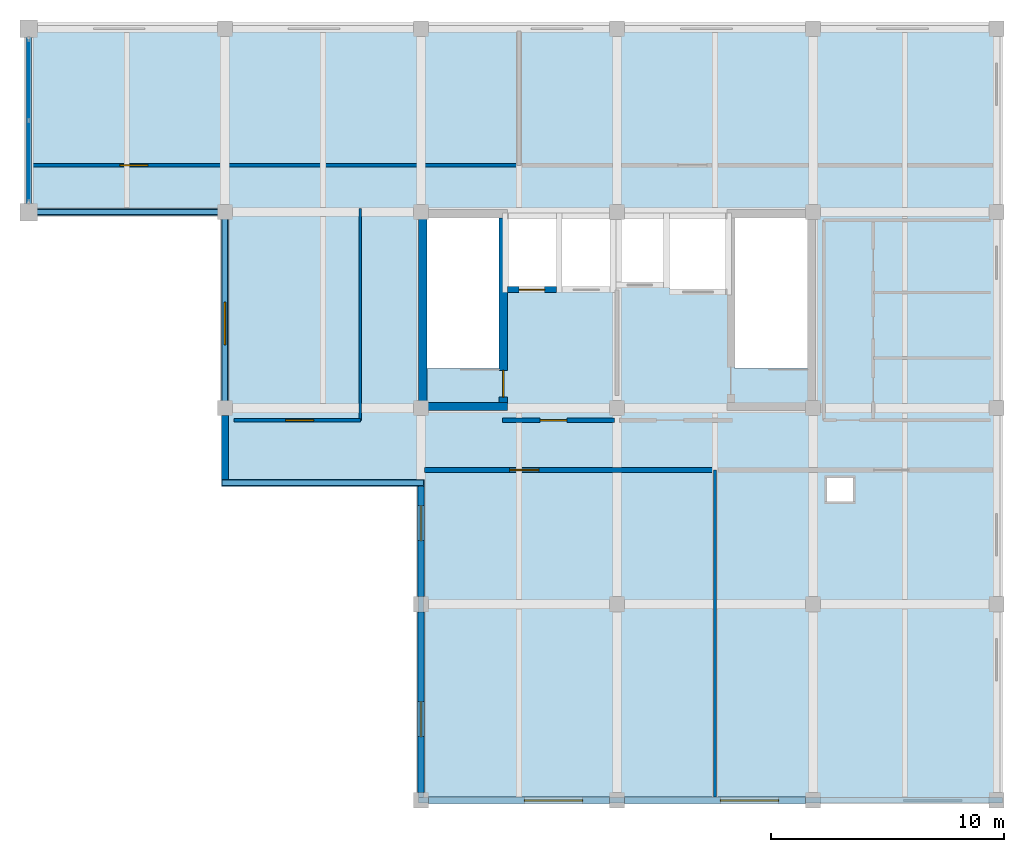
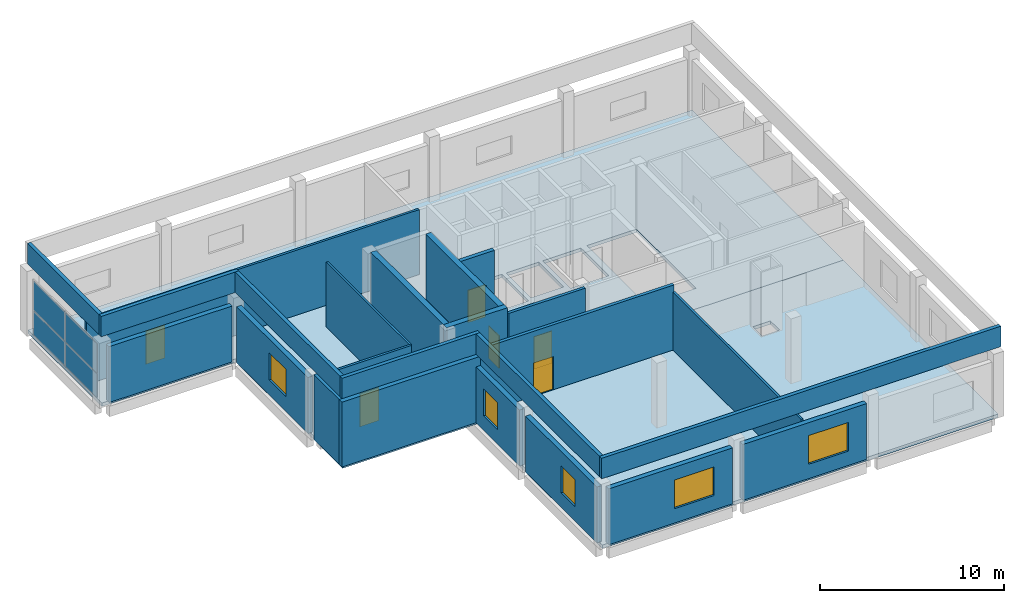
# One storey, part 5 of 8: 24 walls, 6 doors, 5 windows, 4 plates, 2 slabs, 11 openings, 1 element without a shape of its own.
"""IFC4 building model written with IfcOpenShell, lengths in metres."""

from ifc_helpers import new_model, si_unit, direction, frame, frame_2d, origin, origin_2d, place, context, subcontext, project, spatial, polyline, rectangle, outline, extrude, material, layer, layer_set, type_object, element, fill, aggregate, save


model = new_model("IFC4")

# Units and contexts
model_context = context("Model", 3, precision=1e-05, world=origin(), true_north=direction((0.0, 1.0)))
body_context = subcontext(model_context, "Body", "Model", "MODEL_VIEW")
ifc_project = project(units=[si_unit("LENGTHUNIT", "METRE"), si_unit("AREAUNIT", "SQUARE_METRE"), si_unit("VOLUMEUNIT", "CUBIC_METRE"), si_unit("PLANEANGLEUNIT", "RADIAN"), si_unit("MASSUNIT", "GRAM", prefix="KILO")], contexts=[model_context])

# Site, building, storey
site_placement = place(None, origin())
site = spatial("IfcSite", under=ifc_project, at=site_placement, CompositionType="ELEMENT")
building_placement = place(site_placement, origin())
building = spatial("IfcBuilding", under=site, at=building_placement, Name="Brinegate Botanical Conservatory", CompositionType="ELEMENT")
storey_placement = place(building_placement, frame((0.0, 0.0, 65.699951171875)))
storey = spatial("IfcBuildingStorey", under=building, at=storey_placement, Name="L16", CompositionType="ELEMENT", Elevation=65.699951171875)

# Curtain wall, plates
ifc_material_1 = material(Name="Thermally broken anodised aluminium AW-6063-T6", Category="aluminium")
curtain_wall_type = type_object("IfcCurtainWallType", Name="CW_CW-TW1", PredefinedType="USERDEFINED", material=ifc_material_1)
curtain_wall_placement = place(storey_placement, origin())
curtain_wall = element("IfcCurtainWall", 1, at=curtain_wall_placement, inside=storey, type_object=curtain_wall_type, Name="Tower north-west curtain wall L16", ObjectType="FACTORY CURTAIN WALL", PredefinedType="USERDEFINED")
ifc_material_2 = material(Name="Double-silver Low-E laminated safety glass", Category="glass")
ifc_layer_1 = layer(ifc_material_2, 0.035888671875, Name="Double-silver Low-E laminated safety glass", Category="glass")
ifc_layer_set_1 = layer_set([ifc_layer_1], Name="Double-silver Low-E laminated safety glass")
plate_type = type_object("IfcPlateType", Name="Plate_PN-36", PredefinedType="CURTAIN_PANEL", material=ifc_layer_set_1)
plate_1_placement = place(storey_placement, frame((122.0, 105.78759765625, 0.070068359375), z_axis=(0.0, 0.0, 1.0), x_axis=(0.0, 1.0, 0.0)))
plate_1 = element("IfcPlate", 2, at=plate_1_placement, type_object=plate_type, Name="CW-TW1 panel 1.1", PredefinedType="CURTAIN_PANEL", context=body_context, shape_type="SweptSolid", body=[
    extrude(rectangle(XDim=3.405029296875, YDim=0.035888671875, at=origin_2d()), origin(), (0.0, 0.0, 1.0), 1.56005859375),
])
plate_2_placement = place(storey_placement, frame((122.0, 105.78759765625, 1.7001953125), z_axis=(0.0, 0.0, 1.0), x_axis=(0.0, 1.0, 0.0)))
plate_2 = element("IfcPlate", 3, at=plate_2_placement, type_object=plate_type, Name="CW-TW1 panel 1.2", PredefinedType="CURTAIN_PANEL", context=body_context, shape_type="SweptSolid", body=[
    extrude(rectangle(XDim=3.405029296875, YDim=0.035888671875, at=origin_2d()), origin(), (0.0, 0.0, 1.0), 1.929931640625),
])
plate_3_placement = place(storey_placement, frame((122.0, 109.262451171875, 0.070068359375), z_axis=(0.0, 0.0, 1.0), x_axis=(0.0, 1.0, 0.0)))
plate_3 = element("IfcPlate", 4, at=plate_3_placement, type_object=plate_type, Name="CW-TW1 panel 2.1", PredefinedType="CURTAIN_PANEL", context=body_context, shape_type="SweptSolid", body=[
    extrude(rectangle(XDim=3.405029296875, YDim=0.035888671875, at=origin_2d()), origin(), (0.0, 0.0, 1.0), 1.56005859375),
])
plate_4_placement = place(storey_placement, frame((122.0, 109.262451171875, 1.7001953125), z_axis=(0.0, 0.0, 1.0), x_axis=(0.0, 1.0, 0.0)))
plate_4 = element("IfcPlate", 5, at=plate_4_placement, type_object=plate_type, Name="CW-TW1 panel 2.2", PredefinedType="CURTAIN_PANEL", context=body_context, shape_type="SweptSolid", body=[
    extrude(rectangle(XDim=3.405029296875, YDim=0.035888671875, at=origin_2d()), origin(), (0.0, 0.0, 1.0), 1.929931640625),
])
aggregate(curtain_wall, [plate_1, plate_2, plate_3, plate_4])

# Slabs
ifc_material_3 = material(Name="Concrete C40/50", Category="concrete")
ifc_layer_2 = layer(ifc_material_3, 0.219970703125, Name="Concrete C40/50", Category="concrete")
ifc_layer_set_2 = layer_set([ifc_layer_2], Name="Concrete C40/50")
slab_type = type_object("IfcSlabType", Name="Slab_SL-FL220", PredefinedType="FLOOR", material=ifc_layer_set_2)
slab_1_placement = place(storey_placement, frame((0.0, 0.0, -0.219970703125)))
element("IfcSlab", 6, at=slab_1_placement, inside=storey, type_object=slab_type, Name="Research Tower L16 north structural floor slab", PredefinedType="FLOOR", context=body_context, shape_type="SweptSolid", body=[
    extrude(outline(polyline([(130.39990234375, 103.60009765625), (122.0, 103.60009765625), (122.0, 111.60009765625), (163.60009765625, 111.60009765625), (163.60009765625, 95.199951171875), (130.39990234375, 95.199951171875), (130.39990234375, 103.60009765625)]), holes=[polyline([(142.14990234375, 96.89990234375), (142.14990234375, 103.35009765625), (139.050048828125, 103.35009765625), (139.050048828125, 96.89990234375), (142.14990234375, 96.89990234375)]), polyline([(155.35009765625, 96.89990234375), (155.35009765625, 103.35009765625), (152.25, 103.35009765625), (152.25, 96.89990234375), (155.35009765625, 96.89990234375)]), polyline([(142.550048828125, 100.39990234375), (144.60009765625, 100.39990234375), (144.60009765625, 103.300048828125), (142.550048828125, 103.300048828125), (142.550048828125, 100.39990234375)]), polyline([(144.85009765625, 100.39990234375), (146.89990234375, 100.39990234375), (146.89990234375, 103.300048828125), (144.85009765625, 103.300048828125), (144.85009765625, 100.39990234375)]), polyline([(147.14990234375, 100.60009765625), (149.199951171875, 100.60009765625), (149.199951171875, 103.300048828125), (147.14990234375, 103.300048828125), (147.14990234375, 100.60009765625)]), polyline([(149.449951171875, 100.300048828125), (151.85009765625, 100.300048828125), (151.85009765625, 103.300048828125), (149.449951171875, 103.300048828125), (149.449951171875, 100.300048828125)])]), origin(), (0.0, 0.0, 1.0), 0.219970703125),
])
slab_2_placement = place(storey_placement, frame((0.0, 0.0, -0.219970703125)))
element("IfcSlab", 7, at=slab_2_placement, inside=storey, type_object=slab_type, Name="Research Tower L16 south structural floor slab", PredefinedType="FLOOR", context=body_context, shape_type="SweptSolid", body=[
    extrude(outline(polyline([(163.60009765625, 78.39990234375), (138.800048828125, 78.39990234375), (138.800048828125, 92.0), (130.39990234375, 92.0), (130.39990234375, 95.199951171875), (163.60009765625, 95.199951171875), (163.60009765625, 78.39990234375)]), holes=[polyline([(156.199951171875, 91.199951171875), (157.300048828125, 91.199951171875), (157.300048828125, 92.199951171875), (156.199951171875, 92.199951171875), (156.199951171875, 91.199951171875)])]), origin(), (0.0, 0.0, 1.0), 0.219970703125),
])

# Wall, opening, window
ifc_material_4 = material(Name="Insulated Minnan red clay brick masonry", Category="masonry")
ifc_layer_3 = layer(ifc_material_4, 0.300048828125, Name="Insulated Minnan red clay brick masonry", Category="masonry")
ifc_layer_set_3 = layer_set([ifc_layer_3], Name="Insulated Minnan red clay brick masonry")
wall_type_1 = type_object("IfcWallType", Name="Wall_EW-300B", PredefinedType="STANDARD", material=ifc_layer_set_3)
wall_1_placement = place(storey_placement, frame((146.875, 78.39990234375, 0.0), z_axis=(0.0, 0.0, 1.0), x_axis=(-1.0, 0.0, 0.0)))
wall_1 = element("IfcWall", 8, at=wall_1_placement, inside=storey, type_object=wall_type_1, Name="Tower south facade wall L16.1", PredefinedType="STANDARD", context=body_context, shape_type="SweptSolid", body=[
    extrude(rectangle(XDim=7.75, YDim=0.300048828125, at=frame_2d((3.875, 0.0))), origin(), (0.0, 0.0, 1.0), 3.699951171875),
])
opening_1_placement = place(wall_1_placement, frame((1.14990234375, 0.0, 0.949951171875)))
opening_1 = element("IfcOpeningElement", 9, at=opening_1_placement, cuts=wall_1, Name="Opening WN-20", PredefinedType="OPENING", context=body_context, shape_type="SweptSolid", body=[
    extrude(rectangle(XDim=2.5, YDim=1.89990234375, at=frame_2d((1.25, 0.949951171875))), frame((0.0, 0.159912109375, 0.0), z_axis=(0.0, -1.0, 0.0), x_axis=(1.0, 0.0, 0.0)), (0.0, 0.0, 1.0), 0.320068359375),
])
ifc_material_5 = material(Name="Thermally broken aluminium-framed Low-E glass", Category="aluminium")
window_type_1 = type_object("IfcWindowType", Name="Win_WN-20", PartitioningType="TRIPLE_PANEL_VERTICAL", PredefinedType="WINDOW", material=ifc_material_5)
window_1_placement = place(opening_1_placement, origin())
window_1 = element("IfcWindow", 10, at=window_1_placement, inside=storey, type_object=window_type_1, Name="Tower south window L16.1", OverallHeight=1.89990234375, OverallWidth=2.5, PartitioningType="TRIPLE_PANEL_VERTICAL", PredefinedType="WINDOW", context=body_context, shape_type="SweptSolid", body=[
    extrude(rectangle(XDim=2.5, YDim=1.89990234375, at=frame_2d((1.25, 0.949951171875))), frame((0.0, 0.030029296875, 0.0), z_axis=(0.0, -1.0, 0.0), x_axis=(1.0, 0.0, 0.0)), (0.0, 0.0, 1.0), 0.06005859375),
])
fill(opening_1, window_1)

wall_2_placement = place(storey_placement, frame((155.27490234375, 78.39990234375, 0.0), z_axis=(0.0, 0.0, 1.0), x_axis=(-1.0, 0.0, 0.0)))
wall_2 = element("IfcWall", 11, at=wall_2_placement, inside=storey, type_object=wall_type_1, Name="Tower south facade wall L16.2", PredefinedType="STANDARD", context=body_context, shape_type="SweptSolid", body=[
    extrude(rectangle(XDim=7.75, YDim=0.300048828125, at=frame_2d((3.875, 0.0))), origin(), (0.0, 0.0, 1.0), 3.699951171875),
])
opening_2_placement = place(wall_2_placement, frame((1.14990234375, 0.0, 0.949951171875)))
opening_2 = element("IfcOpeningElement", 12, at=opening_2_placement, cuts=wall_2, Name="Opening WN-20", PredefinedType="OPENING", context=body_context, shape_type="SweptSolid", body=[
    extrude(rectangle(XDim=2.5, YDim=1.89990234375, at=frame_2d((1.25, 0.949951171875))), frame((0.0, 0.159912109375, 0.0), z_axis=(0.0, -1.0, 0.0), x_axis=(1.0, 0.0, 0.0)), (0.0, 0.0, 1.0), 0.320068359375),
])
window_2_placement = place(opening_2_placement, origin())
window_2 = element("IfcWindow", 13, at=window_2_placement, inside=storey, type_object=window_type_1, Name="Tower south window L16.2", OverallHeight=1.89990234375, OverallWidth=2.5, PartitioningType="TRIPLE_PANEL_VERTICAL", PredefinedType="WINDOW", context=body_context, shape_type="SweptSolid", body=[
    extrude(rectangle(XDim=2.5, YDim=1.89990234375, at=frame_2d((1.25, 0.949951171875))), frame((0.0, 0.030029296875, 0.0), z_axis=(0.0, -1.0, 0.0), x_axis=(1.0, 0.0, 0.0)), (0.0, 0.0, 1.0), 0.06005859375),
])
fill(opening_2, window_2)

# Wall
wall_3_placement = place(storey_placement, frame((130.39990234375, 92.14990234375, 0.0), z_axis=(0.0, 0.0, 1.0), x_axis=(0.0, 1.0, 0.0)))
element("IfcWall", 14, at=wall_3_placement, inside=storey, type_object=wall_type_1, Name="Tower west corridor end wall L16", PredefinedType="STANDARD", context=body_context, shape_type="SweptSolid", body=[
    extrude(rectangle(XDim=2.72509765625, YDim=0.300048828125, at=frame_2d((1.362548828125, 0.0))), origin(), (0.0, 0.0, 1.0), 4.300048828125),
])

# Wall, opening, window
wall_4_placement = place(storey_placement, frame((138.800048828125, 78.72509765625, 0.0), z_axis=(0.0, 0.0, 1.0), x_axis=(0.0, 1.0, 0.0)))
wall_4 = element("IfcWall", 15, at=wall_4_placement, inside=storey, type_object=wall_type_1, Name="Tower west wall L16.S1", PredefinedType="STANDARD", context=body_context, shape_type="SweptSolid", body=[
    extrude(rectangle(XDim=7.75, YDim=0.300048828125, at=frame_2d((3.875, 0.0))), origin(), (0.0, 0.0, 1.0), 3.699951171875),
])
opening_3_placement = place(wall_4_placement, frame((2.39990234375, 0.0, 0.949951171875)))
opening_3 = element("IfcOpeningElement", 16, at=opening_3_placement, cuts=wall_4, Name="Opening WN-04", PredefinedType="OPENING", context=body_context, shape_type="SweptSolid", body=[
    extrude(rectangle(XDim=1.5, YDim=1.800048828125, at=frame_2d((0.75, 0.89990234375))), frame((0.0, 0.159912109375, 0.0), z_axis=(0.0, -1.0, 0.0), x_axis=(1.0, 0.0, 0.0)), (0.0, 0.0, 1.0), 0.320068359375),
])
window_type_2 = type_object("IfcWindowType", Name="Win_WN-04", PartitioningType="DOUBLE_PANEL_VERTICAL", PredefinedType="WINDOW", material=ifc_material_5)
window_3_placement = place(opening_3_placement, origin())
window_3 = element("IfcWindow", 17, at=window_3_placement, inside=storey, type_object=window_type_2, Name="Tower west window L16.S1", OverallHeight=1.800048828125, OverallWidth=1.5, PartitioningType="DOUBLE_PANEL_VERTICAL", PredefinedType="WINDOW", context=body_context, shape_type="SweptSolid", body=[
    extrude(rectangle(XDim=1.5, YDim=1.800048828125, at=frame_2d((0.75, 0.89990234375))), frame((0.0, 0.030029296875, 0.0), z_axis=(0.0, -1.0, 0.0), x_axis=(1.0, 0.0, 0.0)), (0.0, 0.0, 1.0), 0.06005859375),
])
fill(opening_3, window_3)

wall_5_placement = place(storey_placement, frame((138.800048828125, 87.125, 0.0), z_axis=(0.0, 0.0, 1.0), x_axis=(0.0, 1.0, 0.0)))
wall_5 = element("IfcWall", 18, at=wall_5_placement, inside=storey, type_object=wall_type_1, Name="Tower west wall L16.S2", PredefinedType="STANDARD", context=body_context, shape_type="SweptSolid", body=[
    extrude(rectangle(XDim=4.72509765625, YDim=0.300048828125, at=frame_2d((2.362548828125, 0.0))), origin(), (0.0, 0.0, 1.0), 3.699951171875),
])
opening_4_placement = place(wall_5_placement, frame((2.39990234375, 0.0, 0.949951171875)))
opening_4 = element("IfcOpeningElement", 19, at=opening_4_placement, cuts=wall_5, Name="Opening WN-04", PredefinedType="OPENING", context=body_context, shape_type="SweptSolid", body=[
    extrude(rectangle(XDim=1.5, YDim=1.800048828125, at=frame_2d((0.75, 0.89990234375))), frame((0.0, 0.159912109375, 0.0), z_axis=(0.0, -1.0, 0.0), x_axis=(1.0, 0.0, 0.0)), (0.0, 0.0, 1.0), 0.320068359375),
])
window_4_placement = place(opening_4_placement, origin())
window_4 = element("IfcWindow", 20, at=window_4_placement, inside=storey, type_object=window_type_2, Name="Tower west window L16.S2", OverallHeight=1.800048828125, OverallWidth=1.5, PartitioningType="DOUBLE_PANEL_VERTICAL", PredefinedType="WINDOW", context=body_context, shape_type="SweptSolid", body=[
    extrude(rectangle(XDim=1.5, YDim=1.800048828125, at=frame_2d((0.75, 0.89990234375))), frame((0.0, 0.030029296875, 0.0), z_axis=(0.0, -1.0, 0.0), x_axis=(1.0, 0.0, 0.0)), (0.0, 0.0, 1.0), 0.06005859375),
])
fill(opening_4, window_4)

wall_6_placement = place(storey_placement, frame((130.39990234375, 95.52490234375, 0.0), z_axis=(0.0, 0.0, 1.0), x_axis=(0.0, 1.0, 0.0)))
wall_6 = element("IfcWall", 21, at=wall_6_placement, inside=storey, type_object=wall_type_1, Name="Tower mid-west wall L16", PredefinedType="STANDARD", context=body_context, shape_type="SweptSolid", body=[
    extrude(rectangle(XDim=7.75, YDim=0.300048828125, at=frame_2d((3.875, 0.0))), origin(), (0.0, 0.0, 1.0), 3.699951171875),
])
opening_5_placement = place(wall_6_placement, frame((2.39990234375, 0.0, 1.0)))
opening_5 = element("IfcOpeningElement", 22, at=opening_5_placement, cuts=wall_6, Name="Opening WN-05", PredefinedType="OPENING", context=body_context, shape_type="SweptSolid", body=[
    extrude(rectangle(XDim=1.800048828125, YDim=1.800048828125, at=frame_2d((0.89990234375, 0.89990234375))), frame((0.0, 0.159912109375, 0.0), z_axis=(0.0, -1.0, 0.0), x_axis=(1.0, 0.0, 0.0)), (0.0, 0.0, 1.0), 0.320068359375),
])
window_type_3 = type_object("IfcWindowType", Name="Win_WN-05", PartitioningType="DOUBLE_PANEL_VERTICAL", PredefinedType="WINDOW", material=ifc_material_5)
window_5_placement = place(opening_5_placement, origin())
window_5 = element("IfcWindow", 23, at=window_5_placement, inside=storey, type_object=window_type_3, Name="Tower mid-west window L16", OverallHeight=1.800048828125, OverallWidth=1.800048828125, PartitioningType="DOUBLE_PANEL_VERTICAL", PredefinedType="WINDOW", context=body_context, shape_type="SweptSolid", body=[
    extrude(rectangle(XDim=1.800048828125, YDim=1.800048828125, at=frame_2d((0.89990234375, 0.89990234375))), frame((0.0, 0.030029296875, 0.0), z_axis=(0.0, -1.0, 0.0), x_axis=(1.0, 0.0, 0.0)), (0.0, 0.0, 1.0), 0.06005859375),
])
fill(opening_5, window_5)

# Walls
wall_7_placement = place(storey_placement, frame((130.074951171875, 103.60009765625, 0.0), z_axis=(0.0, 0.0, 1.0), x_axis=(-1.0, 0.0, 0.0)))
element("IfcWall", 24, at=wall_7_placement, inside=storey, type_object=wall_type_1, Name="Tower west setback return wall L16", PredefinedType="STANDARD", context=body_context, shape_type="SweptSolid", body=[
    extrude(rectangle(XDim=7.699951171875, YDim=0.300048828125, at=frame_2d((3.85009765625, 0.0))), origin(), (0.0, 0.0, 1.0), 3.699951171875),
])
wall_8_placement = place(storey_placement, frame((138.949951171875, 92.0, 0.0), z_axis=(0.0, 0.0, 1.0), x_axis=(-1.0, 0.0, 0.0)))
element("IfcWall", 25, at=wall_8_placement, inside=storey, type_object=wall_type_1, Name="Tower loggia setback return wall L16", PredefinedType="STANDARD", context=body_context, shape_type="SweptSolid", body=[
    extrude(rectangle(XDim=8.699951171875, YDim=0.300048828125, at=frame_2d((4.35009765625, 0.0))), origin(), (0.0, 0.0, 1.0), 4.300048828125),
])
ifc_material_6 = material(Name="Precast concrete C40/50 coping & red-brick parapet", Category="masonry")
ifc_layer_4 = layer(ifc_material_6, 0.22998046875, Name="Precast concrete C40/50 coping & red-brick parapet", Category="masonry")
ifc_layer_set_4 = layer_set([ifc_layer_4], Name="Precast concrete C40/50 coping & red-brick parapet")
wall_type_2 = type_object("IfcWallType", Name="Wall_PR-230", PredefinedType="PARAPET", material=ifc_layer_set_4)
wall_9_placement = place(storey_placement, frame((138.68505859375, 78.39990234375, 4.5), z_axis=(0.0, 0.0, 1.0), x_axis=(1.0, 0.0, 0.0)))
element("IfcWall", 26, at=wall_9_placement, inside=storey, type_object=wall_type_2, Name="Tower main roof parapet 1", PredefinedType="PARAPET", context=body_context, shape_type="SweptSolid", body=[
    extrude(rectangle(XDim=25.030029296875, YDim=0.22998046875, at=frame_2d((12.51513671875, 0.0))), origin(), (0.0, 0.0, 1.0), 1.35009765625),
])
wall_10_placement = place(storey_placement, frame((122.0, 111.485107421875, 4.5), z_axis=(0.0, 0.0, 1.0), x_axis=(0.0, -1.0, 0.0)))
element("IfcWall", 27, at=wall_10_placement, inside=storey, type_object=wall_type_2, Name="Tower main roof parapet 4", PredefinedType="PARAPET", context=body_context, shape_type="SweptSolid", body=[
    extrude(rectangle(XDim=7.77001953125, YDim=0.22998046875, at=frame_2d((3.885009765625, 0.0))), origin(), (0.0, 0.0, 1.0), 1.35009765625),
])
wall_11_placement = place(storey_placement, frame((121.885009765625, 103.60009765625, 4.5), z_axis=(0.0, 0.0, 1.0), x_axis=(1.0, 0.0, 0.0)))
element("IfcWall", 28, at=wall_11_placement, inside=storey, type_object=wall_type_2, Name="Tower main roof parapet 5", PredefinedType="PARAPET", context=body_context, shape_type="SweptSolid", body=[
    extrude(rectangle(XDim=8.6298828125, YDim=0.22998046875, at=frame_2d((4.31494140625, 0.0))), origin(), (0.0, 0.0, 1.0), 1.35009765625),
])
wall_12_placement = place(storey_placement, frame((130.39990234375, 103.485107421875, 4.5), z_axis=(0.0, 0.0, 1.0), x_axis=(0.0, -1.0, 0.0)))
element("IfcWall", 29, at=wall_12_placement, inside=storey, type_object=wall_type_2, Name="Tower main roof parapet 6", PredefinedType="PARAPET", context=body_context, shape_type="SweptSolid", body=[
    extrude(rectangle(XDim=11.3701171875, YDim=0.22998046875, at=frame_2d((5.68505859375, 0.0))), origin(), (0.0, 0.0, 1.0), 1.35009765625),
])
wall_13_placement = place(storey_placement, frame((130.284912109375, 92.0, 4.5), z_axis=(0.0, 0.0, 1.0), x_axis=(1.0, 0.0, 0.0)))
element("IfcWall", 30, at=wall_13_placement, inside=storey, type_object=wall_type_2, Name="Tower main roof parapet 7", PredefinedType="PARAPET", context=body_context, shape_type="SweptSolid", body=[
    extrude(rectangle(XDim=8.630126953125, YDim=0.22998046875, at=frame_2d((4.31494140625, 0.0))), origin(), (0.0, 0.0, 1.0), 1.35009765625),
])
wall_14_placement = place(storey_placement, frame((138.800048828125, 91.885009765625, 4.5), z_axis=(0.0, 0.0, 1.0), x_axis=(0.0, -1.0, 0.0)))
element("IfcWall", 31, at=wall_14_placement, inside=storey, type_object=wall_type_2, Name="Tower main roof parapet 8", PredefinedType="PARAPET", context=body_context, shape_type="SweptSolid", body=[
    extrude(rectangle(XDim=13.3701171875, YDim=0.22998046875, at=frame_2d((6.68505859375, 0.0))), origin(), (0.0, 0.0, 1.0), 1.35009765625),
])
ifc_material_7 = material(Name="Gypsum-clad steel-stud partition", Category="steel")
ifc_layer_5 = layer(ifc_material_7, 0.1201171875, Name="Gypsum-clad steel-stud partition", Category="steel")
ifc_layer_set_5 = layer_set([ifc_layer_5], Name="Gypsum-clad steel-stud partition")
wall_type_3 = type_object("IfcWallType", Name="Wall_PW-120", PredefinedType="PARTITIONING", material=ifc_layer_set_5)
wall_15_placement = place(storey_placement, frame((136.199951171875, 94.679931640625, 0.0), z_axis=(0.0, 0.0, 1.0), x_axis=(0.0, 1.0, 0.0)))
element("IfcWall", 32, at=wall_15_placement, inside=storey, type_object=wall_type_3, Name="Interior partition P-L16-XCORR-W", PredefinedType="PARTITIONING", context=body_context, shape_type="SweptSolid", body=[
    extrude(rectangle(XDim=9.070068359375, YDim=0.1201171875, at=frame_2d((4.53515625, 0.0))), origin(), (0.0, 0.0, 1.0), 4.300048828125),
])
ifc_layer_6 = layer(ifc_material_7, 0.135009765625, Name="Gypsum-clad steel-stud partition", Category="steel")
ifc_layer_set_6 = layer_set([ifc_layer_6], Name="Gypsum-clad steel-stud partition")
wall_type_4 = type_object("IfcWallType", Name="Wall_PW-135", PredefinedType="PARTITIONING", material=ifc_layer_set_6)
wall_16_placement = place(storey_placement, frame((151.39990234375, 78.550048828125, 0.0), z_axis=(0.0, 0.0, 1.0), x_axis=(0.0, 1.0, 0.0)))
element("IfcWall", 33, at=wall_16_placement, inside=storey, type_object=wall_type_4, Name="Interior partition P-L16-SDIV-S2", PredefinedType="PARTITIONING", context=body_context, shape_type="SweptSolid", body=[
    extrude(rectangle(XDim=14.0, YDim=0.135009765625, at=frame_2d((7.0, 0.0))), origin(), (0.0, 0.0, 1.0), 3.85009765625),
])

# Wall, opening, door
ifc_material_8 = material(Name="Gypsum-clad acoustic steel-stud partition", Category="steel")
ifc_layer_7 = layer(ifc_material_8, 0.14501953125, Name="Gypsum-clad acoustic steel-stud partition", Category="steel")
ifc_layer_set_7 = layer_set([ifc_layer_7], Name="Gypsum-clad acoustic steel-stud partition")
wall_type_5 = type_object("IfcWallType", Name="Wall_PW-150", PredefinedType="PARTITIONING", material=ifc_layer_set_7)
wall_17_placement = place(storey_placement, frame((130.800048828125, 94.679931640625, 0.0), z_axis=(0.0, 0.0, 1.0), x_axis=(1.0, 0.0, 0.0)))
wall_17 = element("IfcWall", 34, at=wall_17_placement, inside=storey, type_object=wall_type_5, Name="Interior partition P-L16-MIDW-S", PredefinedType="PARTITIONING", context=body_context, shape_type="SweptSolid", body=[
    extrude(rectangle(XDim=5.39990234375, YDim=0.14501953125, at=frame_2d((2.699951171875, 0.0))), origin(), (0.0, 0.0, 1.0), 4.300048828125),
])
opening_6_placement = place(wall_17_placement, frame((2.199951171875, 0.0, 0.0)))
opening_6 = element("IfcOpeningElement", 35, at=opening_6_placement, cuts=wall_17, Name="Opening DR-19", PredefinedType="OPENING", context=body_context, shape_type="SweptSolid", body=[
    extrude(rectangle(XDim=1.199951171875, YDim=2.199951171875, at=frame_2d((0.60009765625, 1.10009765625))), frame((0.0, 0.08251953125, 0.0), z_axis=(0.0, -1.0, 0.0), x_axis=(1.0, 0.0, 0.0)), (0.0, 0.0, 1.0), 0.1650390625),
])
ifc_material_9 = material(Name="Hardwood studio timber leaf", Category="wood")
door_type_1 = type_object("IfcDoorType", Name="Door_DR-19", OperationType="NOTDEFINED", PredefinedType="DOOR", material=ifc_material_9)
door_1_placement = place(opening_6_placement, origin())
door_1 = element("IfcDoor", 36, at=door_1_placement, inside=storey, type_object=door_type_1, Name="DR-P-L16-MIDW-S-1", OperationType="SINGLE_SWING_RIGHT", OverallHeight=2.199951171875, OverallWidth=1.199951171875, PredefinedType="DOOR", context=body_context, shape_type="SweptSolid", body=[
    extrude(rectangle(XDim=1.199951171875, YDim=2.199951171875, at=frame_2d((0.60009765625, 1.10009765625))), frame((0.0, 0.02490234375, 0.0), z_axis=(0.0, -1.0, 0.0), x_axis=(1.0, 0.0, 0.0)), (0.0, 0.0, 1.0), 0.050048828125),
])
fill(opening_6, door_1)

wall_18_placement = place(storey_placement, frame((122.14990234375, 105.60009765625, 0.0), z_axis=(0.0, 0.0, 1.0), x_axis=(1.0, 0.0, 0.0)))
wall_18 = element("IfcWall", 37, at=wall_18_placement, inside=storey, type_object=wall_type_5, Name="Interior partition P-L16-NB-N1", PredefinedType="PARTITIONING", context=body_context, shape_type="SweptSolid", body=[
    extrude(rectangle(XDim=20.85009765625, YDim=0.14501953125, at=frame_2d((10.425048828125, 0.0))), origin(), (0.0, 0.0, 1.0), 4.300048828125),
])
opening_7_placement = place(wall_18_placement, frame((3.75, 0.0, 0.0)))
opening_7 = element("IfcOpeningElement", 38, at=opening_7_placement, cuts=wall_18, Name="Opening DR-19", PredefinedType="OPENING", context=body_context, shape_type="SweptSolid", body=[
    extrude(rectangle(XDim=1.199951171875, YDim=2.199951171875, at=frame_2d((0.60009765625, 1.10009765625))), frame((0.0, 0.08251953125, 0.0), z_axis=(0.0, -1.0, 0.0), x_axis=(1.0, 0.0, 0.0)), (0.0, 0.0, 1.0), 0.1650390625),
])
door_2_placement = place(opening_7_placement, origin())
door_2 = element("IfcDoor", 39, at=door_2_placement, inside=storey, type_object=door_type_1, Name="DR-P-L16-NB-N1-1", OperationType="SINGLE_SWING_LEFT", OverallHeight=2.199951171875, OverallWidth=1.199951171875, PredefinedType="DOOR", context=body_context, shape_type="SweptSolid", body=[
    extrude(rectangle(XDim=1.199951171875, YDim=2.199951171875, at=frame_2d((0.60009765625, 1.10009765625))), frame((0.0, 0.02490234375, 0.0), z_axis=(0.0, -1.0, 0.0), x_axis=(1.0, 0.0, 0.0)), (0.0, 0.0, 1.0), 0.050048828125),
])
fill(opening_7, door_2)

ifc_material_10 = material(Name="Autoclaved aerated concrete C40/50 blockwork", Category="masonry")
ifc_layer_8 = layer(ifc_material_10, 0.179931640625, Name="Autoclaved aerated concrete C40/50 blockwork", Category="masonry")
ifc_layer_set_8 = layer_set([ifc_layer_8], Name="Autoclaved aerated concrete C40/50 blockwork")
wall_type_6 = type_object("IfcWallType", Name="Wall_PW-180F", PredefinedType="STANDARD", material=ifc_layer_set_8)
wall_19_placement = place(storey_placement, frame((142.300048828125, 94.679931640625, 0.0), z_axis=(0.0, 0.0, 1.0), x_axis=(1.0, 0.0, 0.0)))
wall_19 = element("IfcWall", 40, at=wall_19_placement, inside=storey, type_object=wall_type_6, Name="Interior partition P-L16-CORE-FF", PredefinedType="STANDARD", context=body_context, shape_type="SweptSolid", body=[
    extrude(rectangle(XDim=4.800048828125, YDim=0.179931640625, at=frame_2d((2.39990234375, 0.0))), origin(), (0.0, 0.0, 1.0), 4.300048828125),
])
opening_8_placement = place(wall_19_placement, frame((1.60009765625, 0.0, 0.0)))
opening_8 = element("IfcOpeningElement", 41, at=opening_8_placement, cuts=wall_19, Name="Opening FD-B1", PredefinedType="OPENING", context=body_context, shape_type="SweptSolid", body=[
    extrude(rectangle(XDim=1.14990234375, YDim=2.14990234375, at=frame_2d((0.574951171875, 1.074951171875))), frame((0.0, 0.099853515625, 0.0), z_axis=(0.0, -1.0, 0.0), x_axis=(1.0, 0.0, 0.0)), (0.0, 0.0, 1.0), 0.199951171875),
])
ifc_material_11 = material(Name="Steel smoke-proof fire door assembly", Category="steel")
door_type_2 = type_object("IfcDoorType", Name="Door_FD-B1", OperationType="NOTDEFINED", PredefinedType="DOOR", material=ifc_material_11)
door_3_placement = place(opening_8_placement, origin())
door_3 = element("IfcDoor", 42, at=door_3_placement, inside=storey, type_object=door_type_2, Name="DR-P-L16-CORE-FF-1", OperationType="SINGLE_SWING_LEFT", OverallHeight=2.14990234375, OverallWidth=1.14990234375, PredefinedType="DOOR", context=body_context, shape_type="SweptSolid", body=[
    extrude(rectangle(XDim=1.14990234375, YDim=2.14990234375, at=frame_2d((0.574951171875, 1.074951171875))), frame((0.0, 0.02490234375, 0.0), z_axis=(0.0, -1.0, 0.0), x_axis=(1.0, 0.0, 0.0)), (0.0, 0.0, 1.0), 0.050048828125),
])
fill(opening_8, door_3)

ifc_layer_9 = layer(ifc_material_10, 0.199951171875, Name="Autoclaved aerated concrete C40/50 blockwork", Category="masonry")
ifc_layer_set_9 = layer_set([ifc_layer_9], Name="Autoclaved aerated concrete C40/50 blockwork")
wall_type_7 = type_object("IfcWallType", Name="Wall_PW-200F", PredefinedType="SOLIDWALL", material=ifc_layer_set_9)
wall_20_placement = place(storey_placement, frame((138.949951171875, 92.550048828125, 0.0), z_axis=(0.0, 0.0, 1.0), x_axis=(1.0, 0.0, 0.0)))
wall_20 = element("IfcWall", 43, at=wall_20_placement, inside=storey, type_object=wall_type_7, Name="Interior partition P-L16-SB-S1", PredefinedType="SOLIDWALL", context=body_context, shape_type="SweptSolid", body=[
    extrude(rectangle(XDim=12.449951171875, YDim=0.199951171875, at=frame_2d((6.22509765625, 0.0))), origin(), (0.0, 0.0, 1.0), 4.300048828125),
])
opening_9_placement = place(wall_20_placement, frame((3.64990234375, 0.0, 0.0)))
opening_9 = element("IfcOpeningElement", 44, at=opening_9_placement, cuts=wall_20, Name="Opening FD-A1", PredefinedType="OPENING", context=body_context, shape_type="SweptSolid", body=[
    extrude(rectangle(XDim=1.25, YDim=2.199951171875, at=frame_2d((0.625, 1.10009765625))), frame((0.0, 0.10986328125, 0.0), z_axis=(0.0, -1.0, 0.0), x_axis=(1.0, 0.0, 0.0)), (0.0, 0.0, 1.0), 0.219970703125),
])
ifc_material_12 = material(Name="Steel fire-rated assembly", Category="steel")
door_type_3 = type_object("IfcDoorType", Name="Door_FD-A1", OperationType="NOTDEFINED", PredefinedType="DOOR", material=ifc_material_12)
door_4_placement = place(opening_9_placement, origin())
door_4 = element("IfcDoor", 45, at=door_4_placement, inside=storey, type_object=door_type_3, Name="DR-P-L16-SB-S1-1", OperationType="SINGLE_SWING_RIGHT", OverallHeight=2.199951171875, OverallWidth=1.25, PredefinedType="DOOR", context=body_context, shape_type="SweptSolid", body=[
    extrude(rectangle(XDim=1.25, YDim=2.199951171875, at=frame_2d((0.625, 1.10009765625))), frame((0.0, 0.02490234375, 0.0), z_axis=(0.0, -1.0, 0.0), x_axis=(1.0, 0.0, 0.0)), (0.0, 0.0, 1.0), 0.050048828125),
])
fill(opening_9, door_4)

ifc_layer_10 = layer(ifc_material_3, 0.25, Name="Concrete C40/50", Category="concrete")
ifc_layer_set_10 = layer_set([ifc_layer_10], Name="Concrete C40/50")
wall_type_8 = type_object("IfcWallType", Name="Wall_SW-250", PredefinedType="SHEAR", material=ifc_layer_set_10)
wall_21_placement = place(storey_placement, frame((142.5, 100.27490234375, 0.0), z_axis=(0.0, 0.0, 1.0), x_axis=(1.0, 0.0, 0.0)))
wall_21 = element("IfcWall", 46, at=wall_21_placement, inside=storey, type_object=wall_type_8, Name="Lift shaft LF1 shear wall L16 S", PredefinedType="SHEAR", context=body_context, shape_type="SweptSolid", body=[
    extrude(rectangle(XDim=2.10009765625, YDim=0.25, at=frame_2d((1.050048828125, 0.0))), origin(), (0.0, 0.0, 1.0), 4.300048828125),
])
opening_10_placement = place(wall_21_placement, frame((0.5, 0.0, 0.0)))
opening_10 = element("IfcOpeningElement", 47, at=opening_10_placement, cuts=wall_21, Name="Opening LD-01", PredefinedType="OPENING", context=body_context, shape_type="SweptSolid", body=[
    extrude(rectangle(XDim=1.10009765625, YDim=2.14990234375, at=frame_2d((0.550048828125, 1.074951171875))), frame((0.0, 0.135009765625, 0.0), z_axis=(0.0, -1.0, 0.0), x_axis=(1.0, 0.0, 0.0)), (0.0, 0.0, 1.0), 0.27001953125),
])
ifc_material_13 = material(Name="Brushed stainless steel S355 landing door", Category="steel")
door_type_4 = type_object("IfcDoorType", Name="Door_LD-01", OperationType="SLIDING_TO_LEFT", PredefinedType="DOOR", material=ifc_material_13)
door_5_placement = place(opening_10_placement, origin())
door_5 = element("IfcDoor", 48, at=door_5_placement, inside=storey, type_object=door_type_4, Name="LD-LF1-L16", OperationType="SLIDING_TO_LEFT", OverallHeight=2.14990234375, OverallWidth=1.10009765625, PredefinedType="DOOR", context=body_context, shape_type="SweptSolid", body=[
    extrude(rectangle(XDim=1.10009765625, YDim=2.14990234375, at=frame_2d((0.550048828125, 1.074951171875))), frame((0.0, 0.02490234375, 0.0), z_axis=(0.0, -1.0, 0.0), x_axis=(1.0, 0.0, 0.0)), (0.0, 0.0, 1.0), 0.050048828125),
])
fill(opening_10, door_5)

# Walls
ifc_layer_11 = layer(ifc_material_3, 0.35009765625, Name="Concrete C40/50", Category="concrete")
ifc_layer_set_11 = layer_set([ifc_layer_11], Name="Concrete C40/50")
wall_type_9 = type_object("IfcWallType", Name="Wall_SW-350", PredefinedType="SHEAR", material=ifc_layer_set_11)
wall_22_placement = place(storey_placement, frame((138.699951171875, 95.27490234375, 0.0), z_axis=(0.0, 0.0, 1.0), x_axis=(1.0, 0.0, 0.0)))
element("IfcWall", 49, at=wall_22_placement, inside=storey, type_object=wall_type_9, Name="Stairwell ST1 shear wall L16 S", PredefinedType="SHEAR", context=body_context, shape_type="SweptSolid", body=[
    extrude(rectangle(XDim=3.800048828125, YDim=0.35009765625, at=frame_2d((1.89990234375, 0.0))), origin(), (0.0, 0.0, 1.0), 4.300048828125),
])
wall_23_placement = place(storey_placement, frame((138.875, 95.449951171875, 0.0), z_axis=(0.0, 0.0, 1.0), x_axis=(0.0, 1.0, 0.0)))
element("IfcWall", 50, at=wall_23_placement, inside=storey, type_object=wall_type_9, Name="Stairwell ST1 shear wall L16 W", PredefinedType="SHEAR", context=body_context, shape_type="SweptSolid", body=[
    extrude(rectangle(XDim=7.900146484375, YDim=0.35009765625, at=frame_2d((3.9501953125, 0.0))), origin(), (0.0, 0.0, 1.0), 4.300048828125),
])

# Wall, opening, door
wall_24_placement = place(storey_placement, frame((142.324951171875, 95.449951171875, 0.0), z_axis=(0.0, 0.0, 1.0), x_axis=(0.0, 1.0, 0.0)))
wall_24 = element("IfcWall", 51, at=wall_24_placement, inside=storey, type_object=wall_type_9, Name="Stairwell ST1 shear wall L16 E", PredefinedType="SHEAR", context=body_context, shape_type="SweptSolid", body=[
    extrude(rectangle(XDim=7.900146484375, YDim=0.35009765625, at=frame_2d((3.9501953125, 0.0))), origin(), (0.0, 0.0, 1.0), 4.300048828125),
])
opening_11_placement = place(wall_24_placement, frame((0.219970703125, 0.0, 0.0)))
opening_11 = element("IfcOpeningElement", 52, at=opening_11_placement, cuts=wall_24, Name="Opening FD-B1", PredefinedType="OPENING", context=body_context, shape_type="SweptSolid", body=[
    extrude(rectangle(XDim=1.14990234375, YDim=2.14990234375, at=frame_2d((0.574951171875, 1.074951171875))), frame((0.0, 0.18505859375, 0.0), z_axis=(0.0, -1.0, 0.0), x_axis=(1.0, 0.0, 0.0)), (0.0, 0.0, 1.0), 0.3701171875),
])
door_6_placement = place(opening_11_placement, origin())
door_6 = element("IfcDoor", 53, at=door_6_placement, inside=storey, type_object=door_type_2, Name="DR-ST-ST1-L16", OperationType="SINGLE_SWING_RIGHT", OverallHeight=2.14990234375, OverallWidth=1.14990234375, PredefinedType="DOOR", context=body_context, shape_type="SweptSolid", body=[
    extrude(rectangle(XDim=1.14990234375, YDim=2.14990234375, at=frame_2d((0.574951171875, 1.074951171875))), frame((0.0, 0.02490234375, 0.0), z_axis=(0.0, -1.0, 0.0), x_axis=(1.0, 0.0, 0.0)), (0.0, 0.0, 1.0), 0.050048828125),
])
fill(opening_11, door_6)

save(model, "model.ifc")
